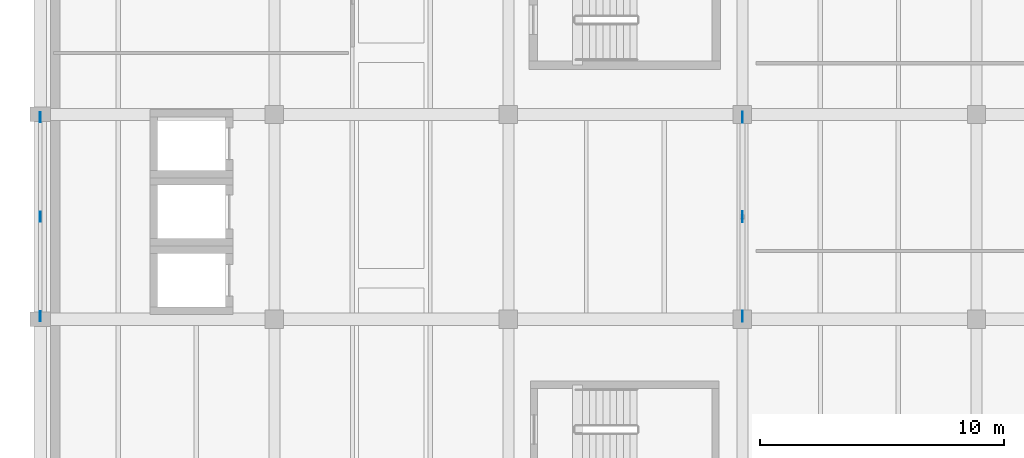
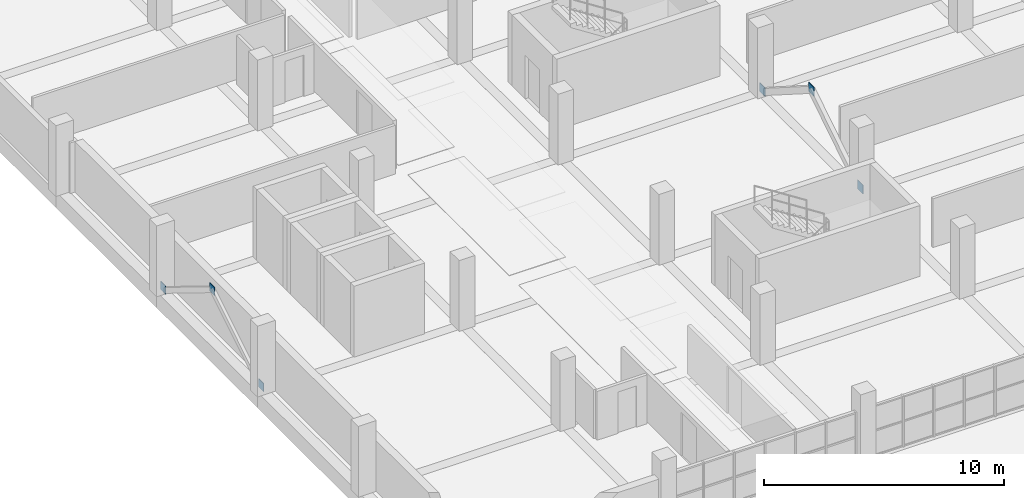
# One storey, part 111 of 147: 6 plates.
"""IFC4 building model written with IfcOpenShell, lengths in metres."""

from ifc_helpers import new_model, si_unit, direction, frame, origin, origin_2d, place, context, subcontext, project, spatial, rectangle, extrude, material, layer, layer_set, type_object, element, save


model = new_model("IFC4")

# Units and contexts
model_context = context("Model", 3, precision=1e-05, world=origin(), true_north=direction((0.0, 1.0)))
body_context = subcontext(model_context, "Body", "Model", "MODEL_VIEW")
ifc_project = project(units=[si_unit("LENGTHUNIT", "METRE"), si_unit("AREAUNIT", "SQUARE_METRE"), si_unit("VOLUMEUNIT", "CUBIC_METRE"), si_unit("PLANEANGLEUNIT", "RADIAN"), si_unit("MASSUNIT", "GRAM", prefix="KILO")], contexts=[model_context])

# Site, building, storey
site_placement = place(None, origin())
site = spatial("IfcSite", under=ifc_project, at=site_placement, CompositionType="ELEMENT")
building_placement = place(site_placement, origin())
building = spatial("IfcBuilding", under=site, at=building_placement, Name="Oolite Switchyard Hospital", CompositionType="ELEMENT")
storey_placement = place(building_placement, frame((0.0, 0.0, 9.89990234375)))
storey = spatial("IfcBuildingStorey", under=building, at=storey_placement, Name="L02", CompositionType="ELEMENT", Elevation=9.89990234375)

# Plates
ifc_material = material(Name="Steel ASTM A572 Grade 50", Category="steel")
ifc_layer_1 = layer(ifc_material, 0.028076171875)
ifc_layer_set_1 = layer_set([ifc_layer_1], Name="PLT-GUS-420")
plate_type_1 = type_object("IfcPlateType", Name="PLT-GUS-420", PredefinedType="SHEET", material=ifc_layer_set_1)
for number, where, z_axis, x_axis, name in (
    (1, (0.0, 50.52001953125, -0.009765625), (0.0, 0.0, 1.0), (0.0, 1.0, 0.0), "L02 Brace Base Gusset Plate 7"),
    (2, (0.0, 58.679931640625, -0.009765625), (0.0, 0.0, 1.0), (0.0, 1.0, 0.0), "L02 Brace Base Gusset Plate 8"),
    (3, (0.0, 54.60009765625, 2.39501953125), (0.0, 0.0, 1.0), (0.0, 1.0, 0.0), "L02 Gusset Connection Plate 9"),
):
    element("IfcPlate", number, at=place(storey_placement, frame(where, z_axis=z_axis, x_axis=x_axis)), inside=storey, type_object=plate_type_1, Name=name, PredefinedType="SHEET", context=body_context, shape_type="SweptSolid", body=[
        extrude(rectangle(XDim=0.419921875, YDim=0.028076171875, at=origin_2d()), origin(), (0.0, 0.0, 1.0), 0.419921875),
    ])
ifc_layer_2 = layer(ifc_material, 0.030029296875)
ifc_layer_set_2 = layer_set([ifc_layer_2], Name="PLT-GUS-450")
plate_type_2 = type_object("IfcPlateType", Name="PLT-GUS-450", PredefinedType="SHEET", material=ifc_layer_set_2)
for number, where, z_axis, x_axis, name in (
    (4, (28.800048828125, 50.52001953125, -0.02490234375), (0.0, 0.0, 1.0), (0.0, 1.0, 0.0), "L02 Brace Base Gusset Plate 28"),
    (5, (28.800048828125, 58.679931640625, -0.02490234375), (0.0, 0.0, 1.0), (0.0, 1.0, 0.0), "L02 Brace Base Gusset Plate 29"),
    (6, (28.800048828125, 54.60009765625, 2.462890625), (0.0, 0.0, 1.0), (0.0, 1.0, 0.0), "L02 Gusset Connection Plate 30"),
):
    element("IfcPlate", number, at=place(storey_placement, frame(where, z_axis=z_axis, x_axis=x_axis)), inside=storey, type_object=plate_type_2, Name=name, PredefinedType="SHEET", context=body_context, shape_type="SweptSolid", body=[
        extrude(rectangle(XDim=0.449951171875, YDim=0.030029296875, at=origin_2d()), origin(), (0.0, 0.0, 1.0), 0.449951171875),
    ])

save(model, "model.ifc")
